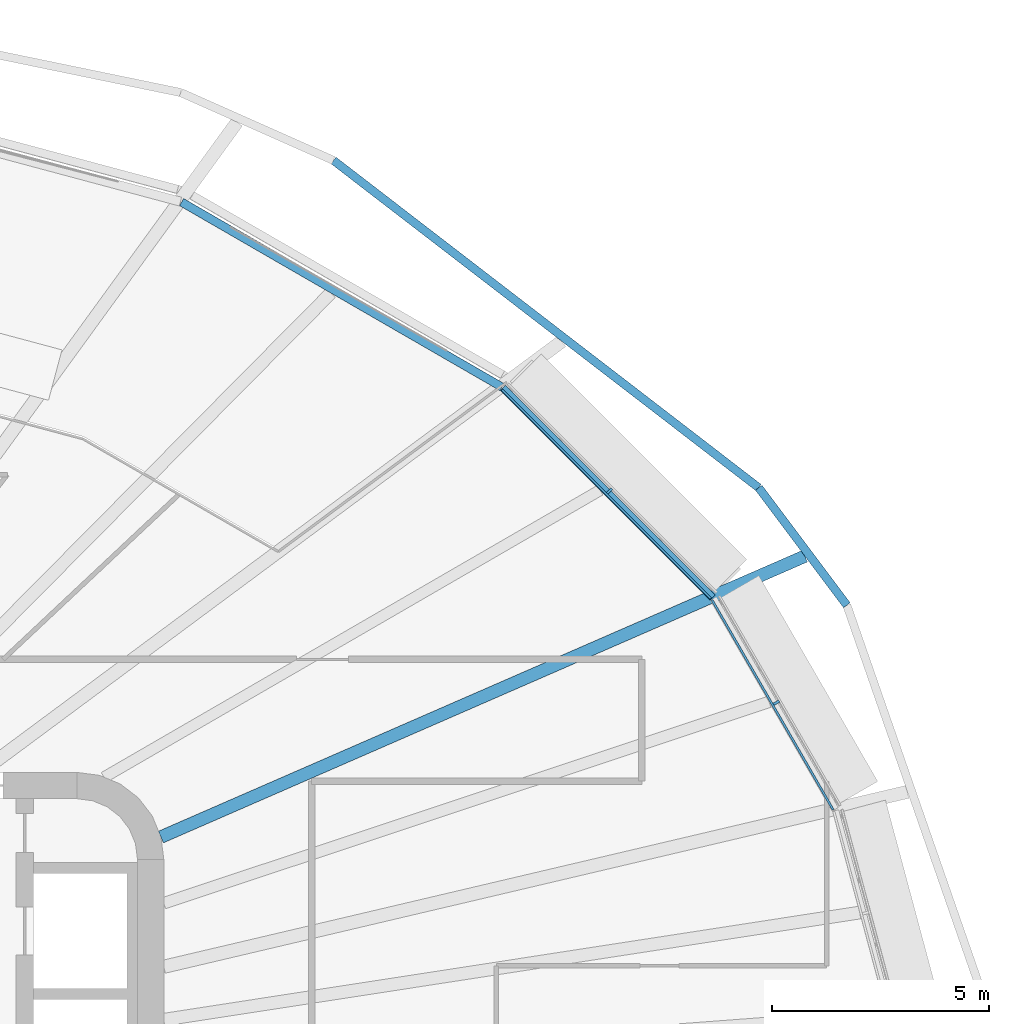
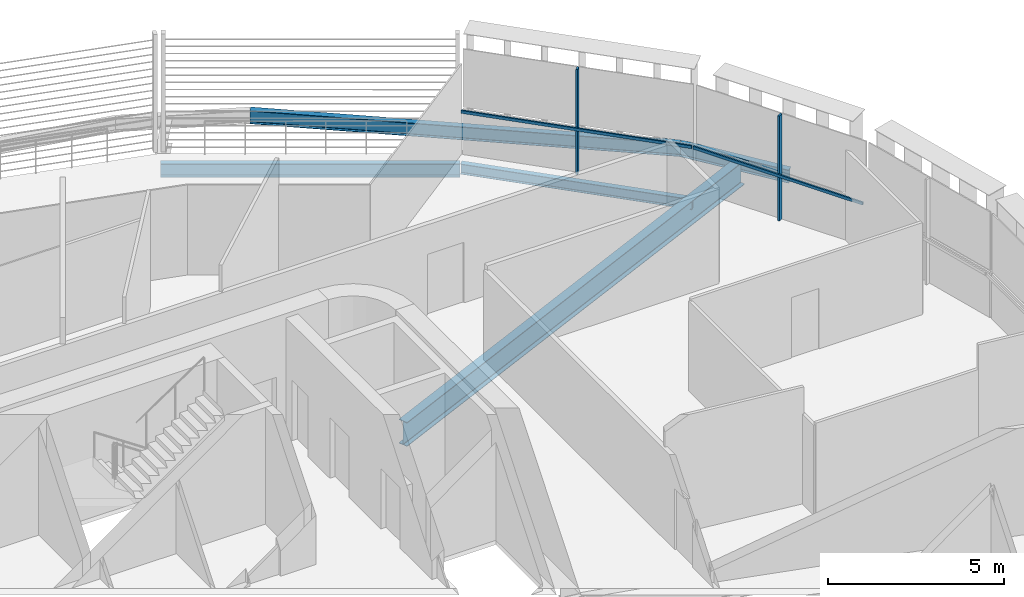
# One storey, part 9 of 24: 5 beams, 4 members, 2 elements without a shape of their own.
"""IFC4 building model written with IfcOpenShell, lengths in metres."""

from ifc_helpers import new_model, si_unit, direction, frame, origin, origin_2d, place, context, subcontext, project, spatial, rectangle, i_section, extrude, material, layer, layer_set, material_profile, profile_set, type_object, element, aggregate, save


model = new_model("IFC4")

# Units and contexts
model_context = context("Model", 3, precision=1e-05, world=origin(), true_north=direction((0.0, 1.0)))
body_context = subcontext(model_context, "Body", "Model", "MODEL_VIEW")
ifc_project = project(units=[si_unit("LENGTHUNIT", "METRE"), si_unit("AREAUNIT", "SQUARE_METRE"), si_unit("VOLUMEUNIT", "CUBIC_METRE"), si_unit("PLANEANGLEUNIT", "RADIAN"), si_unit("MASSUNIT", "GRAM", prefix="KILO")], contexts=[model_context])

# Site, building, storey
site_placement = place(None, origin())
site = spatial("IfcSite", under=ifc_project, at=site_placement, CompositionType="ELEMENT")
building_placement = place(site_placement, origin())
building = spatial("IfcBuilding", under=site, at=building_placement, Name="Sahrelin Media Tower", CompositionType="ELEMENT")
storey_placement = place(building_placement, frame((0.0, 0.0, 118.800048828125)))
storey = spatial("IfcBuildingStorey", under=building, at=storey_placement, Name="L23", CompositionType="ELEMENT", Elevation=118.800048828125)

# Beams
ifc_material_1 = material(Name="Steel S355", Category="steel")
ifc_material_profile_1 = material_profile(ifc_material_1, i_section(OverallWidth=0.17138671875, OverallDepth=0.35498046875, WebThickness=0.00732421875, FlangeThickness=0.011474609375, FilletRadius=0.01025390625, at=origin_2d()), Name="UB 356x171x51")
ifc_profile_set_1 = profile_set([ifc_material_profile_1], Name="Steel S355")
beam_type_1 = type_object("IfcBeamType", Name="Edge beam EB3", PredefinedType="BEAM", material=ifc_profile_set_1)
beam_1_placement = place(storey_placement, frame((22.80517578125, 16.845458984375, -0.37744140625), z_axis=(0.707106781187, -0.707106781187, 0.0), x_axis=(0.707106781187, 0.707106781187, 0.0)))
element("IfcBeam", 1, at=beam_1_placement, inside=storey, type_object=beam_type_1, Name="Edge beam L23-22", PredefinedType="BEAM", context=body_context, shape_type="SweptSolid", body=[
    extrude(i_section(OverallWidth=0.17138671875, OverallDepth=0.35498046875, WebThickness=0.00732421875, FlangeThickness=0.011474609375, FilletRadius=0.01025390625, at=origin_2d()), origin(), (0.0, 0.0, 1.0), 6.819091796875),
])
ifc_material_profile_2 = material_profile(ifc_material_1, i_section(OverallWidth=0.1904296875, OverallDepth=0.45703125, WebThickness=0.009033203125, FlangeThickness=0.014404296875, FilletRadius=0.01025390625, at=origin_2d()), Name="UB 457x191x74")
ifc_profile_set_2 = profile_set([ifc_material_profile_2], Name="Steel S355")
beam_type_2 = type_object("IfcBeamType", Name="Edge beam EB5", PredefinedType="BEAM", material=ifc_profile_set_2)
beam_2_placement = place(storey_placement, frame((15.40869140625, 21.120361328125, -0.428466796875), z_axis=(0.866002219952, -0.500040153425, 0.0), x_axis=(0.500040153425, 0.866002219952, 0.0)))
element("IfcBeam", 2, at=beam_2_placement, inside=storey, type_object=beam_type_2, Name="Edge beam L23-21", PredefinedType="BEAM", context=body_context, shape_type="SweptSolid", body=[
    extrude(i_section(OverallWidth=0.1904296875, OverallDepth=0.45703125, WebThickness=0.009033203125, FlangeThickness=0.014404296875, FilletRadius=0.01025390625, at=origin_2d()), origin(), (0.0, 0.0, 1.0), 8.514404296875),
])

# Curtain wall, member
ifc_material_2 = material(Name="Champagne anodised aluminium 6063-T6", Category="aluminium")
ifc_layer = layer(ifc_material_2, 0.14990234375)
ifc_layer_set = layer_set([ifc_layer], Name="Tower ribbon curtain wall")
curtain_wall_type = type_object("IfcCurtainWallType", Name="Tower ribbon curtain wall", PredefinedType="NOTDEFINED", material=ifc_layer_set)
curtain_wall_1_placement = place(storey_placement, frame((29.174560546875, 9.650390625, 0.0), z_axis=(0.0, 0.0, 1.0), x_axis=(1.0, 0.0, 0.0)))
curtain_wall_1 = element("IfcCurtainWall", 3, at=curtain_wall_1_placement, inside=storey, type_object=curtain_wall_type, Name="L23:CW:L23-02", PredefinedType="NOTDEFINED")
ifc_material_profile_3 = material_profile(ifc_material_2, rectangle(XDim=0.06005859375, YDim=0.14990234375, at=origin_2d()), Name="Mullion 60x150")
ifc_profile_set_3 = profile_set([ifc_material_profile_3], Name="Champagne anodised aluminium 6063-T6")
member_type_1 = type_object("IfcMemberType", Name="Mullion 60x150 CW1", PredefinedType="MULLION", material=ifc_profile_set_3)
member_1_placement = place(storey_placement, frame((29.09228515625, 9.60302734375, 0.0), z_axis=(0.0, 0.0, 1.0), x_axis=(-0.500001511499, 0.866024531118, 0.0)))
member_1 = element("IfcMember", 4, at=member_1_placement, type_object=member_type_1, Name="L23:CWM:L23-02", PredefinedType="MULLION", context=body_context, shape_type="SweptSolid", body=[
    extrude(rectangle(XDim=0.06005859375, YDim=0.14990234375, at=origin_2d()), origin(), (0.0, 0.0, 1.0), 3.6484375),
])

curtain_wall_2_placement = place(storey_placement, frame((25.322021484375, 14.54052734375, 0.0), z_axis=(0.0, 0.0, 1.0), x_axis=(1.0, 0.0, 0.0)))
curtain_wall_2 = element("IfcCurtainWall", 5, at=curtain_wall_2_placement, inside=storey, type_object=curtain_wall_type, Name="L23:CW:L23-03", PredefinedType="NOTDEFINED")
member_2_placement = place(storey_placement, frame((25.2548828125, 14.473388671875, 0.0), z_axis=(0.0, 0.0, 1.0), x_axis=(-0.707106781187, 0.707106781187, 0.0)))
member_2 = element("IfcMember", 6, at=member_2_placement, type_object=member_type_1, Name="L23:CWM:L23-03", PredefinedType="MULLION", context=body_context, shape_type="SweptSolid", body=[
    extrude(rectangle(XDim=0.06005859375, YDim=0.14990234375, at=origin_2d()), origin(), (0.0, 0.0, 1.0), 3.6484375),
])

# Beams
ifc_material_profile_4 = material_profile(ifc_material_1, i_section(OverallWidth=0.291748046875, OverallDepth=0.8349609375, WebThickness=0.013916015625, FlangeThickness=0.018798828125, FilletRadius=0.017822265625, at=origin_2d()), Name="UB 838x292x176")
ifc_profile_set_4 = profile_set([ifc_material_profile_4], Name="Steel S355")
beam_type_3 = type_object("IfcBeamType", Name="Radial primary beam PB10", PredefinedType="BEAM", material=ifc_profile_set_4)
beam_3_placement = place(storey_placement, frame((14.9326171875, 6.512451171875, -0.567626953125), z_axis=(0.916617780481, 0.399764736446, 0.0), x_axis=(-0.399764736446, 0.916617780481, 0.0)))
element("IfcBeam", 7, at=beam_3_placement, inside=storey, type_object=beam_type_3, Name="Radial beam L23-03", PredefinedType="BEAM", context=body_context, shape_type="SweptSolid", body=[
    extrude(i_section(OverallWidth=0.291748046875, OverallDepth=0.8349609375, WebThickness=0.013916015625, FlangeThickness=0.018798828125, FilletRadius=0.017822265625, at=origin_2d()), origin(), (0.0, 0.0, 1.0), 16.16357421875),
])
ifc_material_profile_5 = material_profile(ifc_material_1, i_section(OverallWidth=0.1904296875, OverallDepth=0.45703125, WebThickness=0.009033203125, FlangeThickness=0.014404296875, FilletRadius=0.01025390625, at=origin_2d()), Name="UB 457x191x74")
ifc_profile_set_5 = profile_set([ifc_material_profile_5], Name="Steel S355")
beam_type_4 = type_object("IfcBeamType", Name="Tie chord TC5", PredefinedType="BEAM", material=ifc_profile_set_5)
beam_4_placement = place(storey_placement, frame((30.71337890625, 11.84619140625, -0.378662109375), z_axis=(-0.600069344871, 0.79994798665, 0.0), x_axis=(-0.79994798665, -0.600069344871, 0.0)))
element("IfcBeam", 8, at=beam_4_placement, inside=storey, type_object=beam_type_4, Name="Tie chord L23-02", PredefinedType="BEAM", context=body_context, shape_type="SweptSolid", body=[
    extrude(i_section(OverallWidth=0.1904296875, OverallDepth=0.45703125, WebThickness=0.009033203125, FlangeThickness=0.014404296875, FilletRadius=0.01025390625, at=origin_2d()), origin(), (0.0, 0.0, 1.0), 3.379638671875),
])
beam_5_placement = place(storey_placement, frame((28.685302734375, 14.5498046875, -0.378662109375), z_axis=(-0.792440143833, 0.609949685173, 0.0), x_axis=(-0.609949685173, -0.792440143833, 0.0)))
element("IfcBeam", 9, at=beam_5_placement, inside=storey, type_object=beam_type_4, Name="Tie chord L23-03", PredefinedType="BEAM", context=body_context, shape_type="SweptSolid", body=[
    extrude(i_section(OverallWidth=0.1904296875, OverallDepth=0.45703125, WebThickness=0.009033203125, FlangeThickness=0.014404296875, FilletRadius=0.01025390625, at=origin_2d()), origin(), (0.0, 0.0, 1.0), 12.34423828125),
])

# Member
ifc_material_profile_6 = material_profile(ifc_material_2, rectangle(XDim=0.050048828125, YDim=0.10009765625, at=origin_2d()), Name="Transom 50x100")
ifc_profile_set_6 = profile_set([ifc_material_profile_6], Name="Champagne anodised aluminium 6063-T6")
member_type_2 = type_object("IfcMemberType", Name="Transom 50x100 CW1", PredefinedType="USERDEFINED", material=ifc_profile_set_6)
member_3_placement = place(storey_placement, frame((30.398193359375, 7.141357421875, 1.599853515625), z_axis=(-0.500028539159, 0.866008926066, 0.0), x_axis=(-0.866008926066, -0.500028539159, 0.0)))
member_3 = element("IfcMember", 10, at=member_3_placement, type_object=member_type_2, Name="L23:CWT:L23-02", ObjectType="TRANSOM", PredefinedType="USERDEFINED", context=body_context, shape_type="SweptSolid", body=[
    extrude(rectangle(XDim=0.050048828125, YDim=0.10009765625, at=origin_2d()), origin(), (0.0, 0.0, 1.0), 5.569580078125),
])

aggregate(curtain_wall_1, [member_1, member_3])

member_4_placement = place(storey_placement, frame((27.583984375, 12.0029296875, 1.599853515625), z_axis=(-0.707106781187, 0.707106781187, 0.0), x_axis=(-0.707106781187, -0.707106781187, 0.0)))
member_4 = element("IfcMember", 11, at=member_4_placement, type_object=member_type_2, Name="L23:CWT:L23-03", ObjectType="TRANSOM", PredefinedType="USERDEFINED", context=body_context, shape_type="SweptSolid", body=[
    extrude(rectangle(XDim=0.050048828125, YDim=0.10009765625, at=origin_2d()), origin(), (0.0, 0.0, 1.0), 6.78759765625),
])

aggregate(curtain_wall_2, [member_2, member_4])

save(model, "model.ifc")
